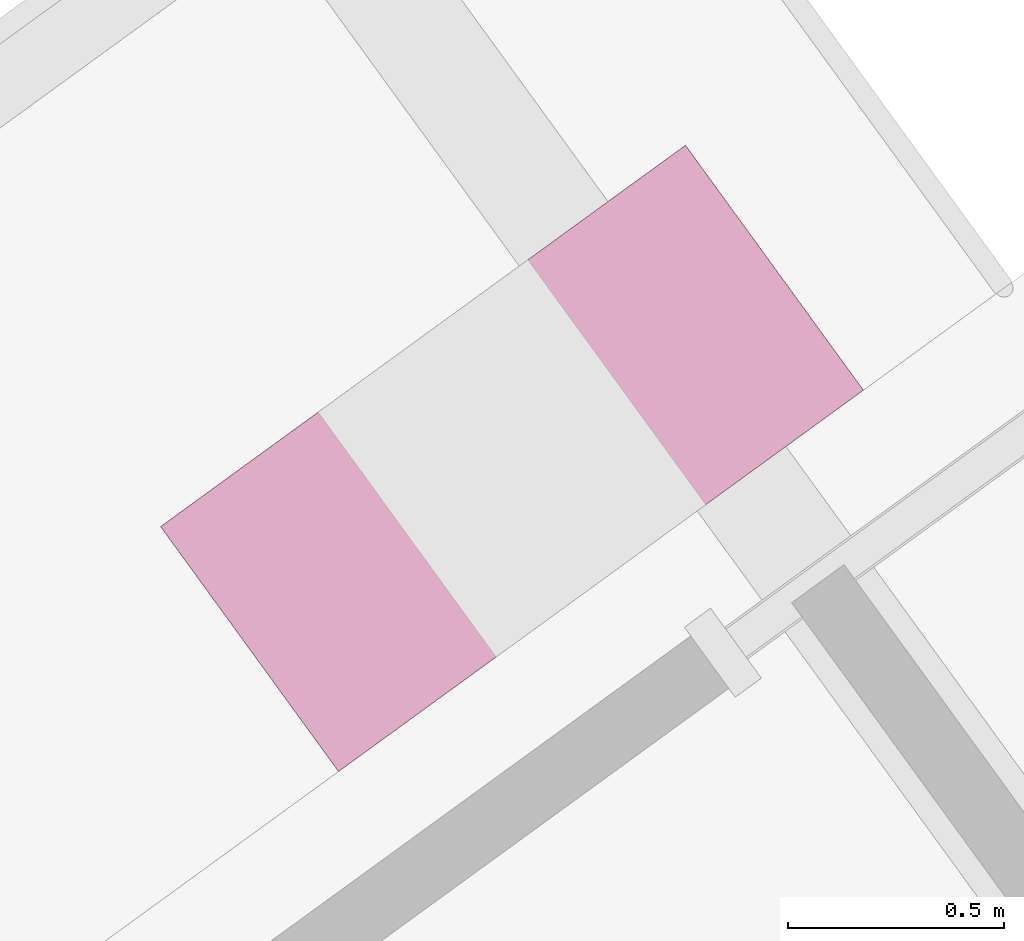
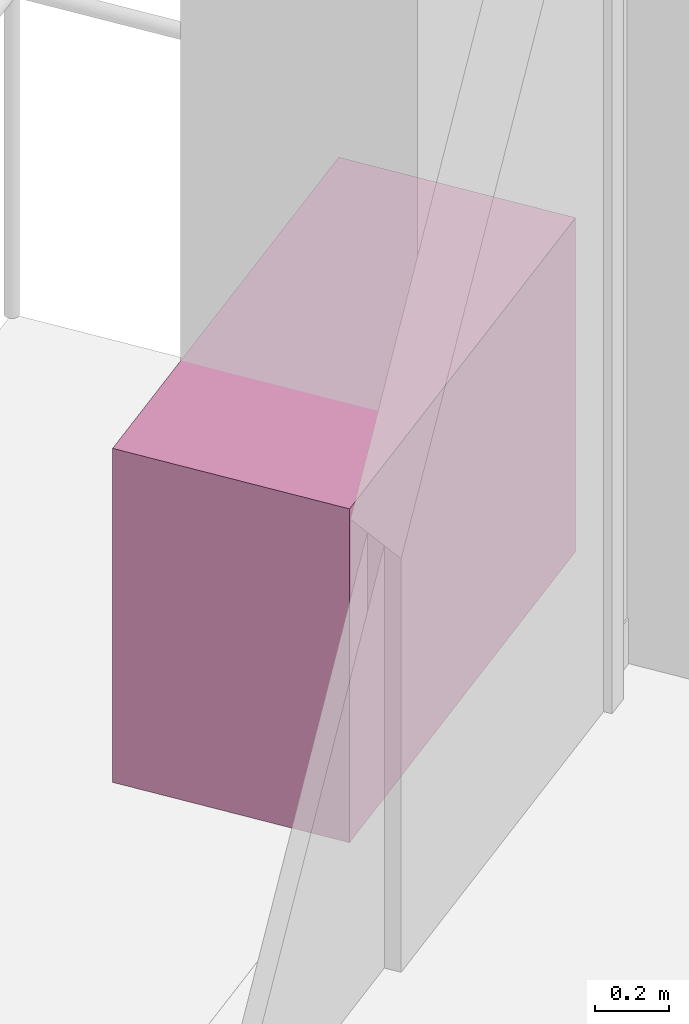
# One storey, part 20 of 21: 1 furniture element.
"""IFC4 building model written with IfcOpenShell, lengths in metres."""

from ifc_helpers import new_model, si_unit, direction, frame, origin, origin_2d, place, context, subcontext, project, spatial, rectangle, extrude, source, transform, mapped, material, type_object, element, save


model = new_model("IFC4")

# Units and contexts
model_context = context("Model", 3, precision=1e-05, world=origin(), true_north=direction((0.0, 1.0)))
body_context = subcontext(model_context, "Body", "Model", "MODEL_VIEW")
ifc_project = project(units=[si_unit("LENGTHUNIT", "METRE"), si_unit("AREAUNIT", "SQUARE_METRE"), si_unit("VOLUMEUNIT", "CUBIC_METRE"), si_unit("PLANEANGLEUNIT", "RADIAN"), si_unit("MASSUNIT", "GRAM", prefix="KILO")], contexts=[model_context])

# Site, building, storey
site_placement = place(None, origin())
site = spatial("IfcSite", under=ifc_project, at=site_placement, CompositionType="ELEMENT")
building_placement = place(site_placement, origin())
building = spatial("IfcBuilding", under=site, at=building_placement, Name="Triune Harvest Tower", CompositionType="ELEMENT")
storey_placement = place(building_placement, frame((0.0, 0.0, 87.300048828125)))
storey = spatial("IfcBuildingStorey", under=building, at=storey_placement, Name="L21", CompositionType="ELEMENT", Elevation=87.300048828125)

# Furniture
ifc_material = material(Name="Concrete 40 MPa", Category="concrete")
furniture_type = type_object("IfcFurnitureType", Name="PB-1 structural planter", AssemblyPlace="SITE", PredefinedType="USERDEFINED", material=ifc_material)
shared_shape = source(origin(), body_context, "Body", "SweptSolid", [
    extrude(rectangle(XDim=1.5, YDim=0.699951171875, at=origin_2d()), origin(), (0.0, 0.0, 1.0), 1.10009765625),
])
furniture_placement = place(storey_placement, frame((-21.056396484375, 13.56103515625, 0.0), z_axis=(0.0, 0.0, 1.0), x_axis=(-0.809017013446, -0.587785226043, 0.0)))
element("IfcFurniture", 1, at=furniture_placement, inside=storey, type_object=furniture_type, Name="Planter B2-F3 L21.9a", ObjectType="PLANTER", PredefinedType="USERDEFINED", context=body_context, shape_type="MappedRepresentation", body=[
    mapped(shared_shape, transform((0.0, 0.0, 0.0), scale=1.0)),
])

save(model, "model.ifc")
